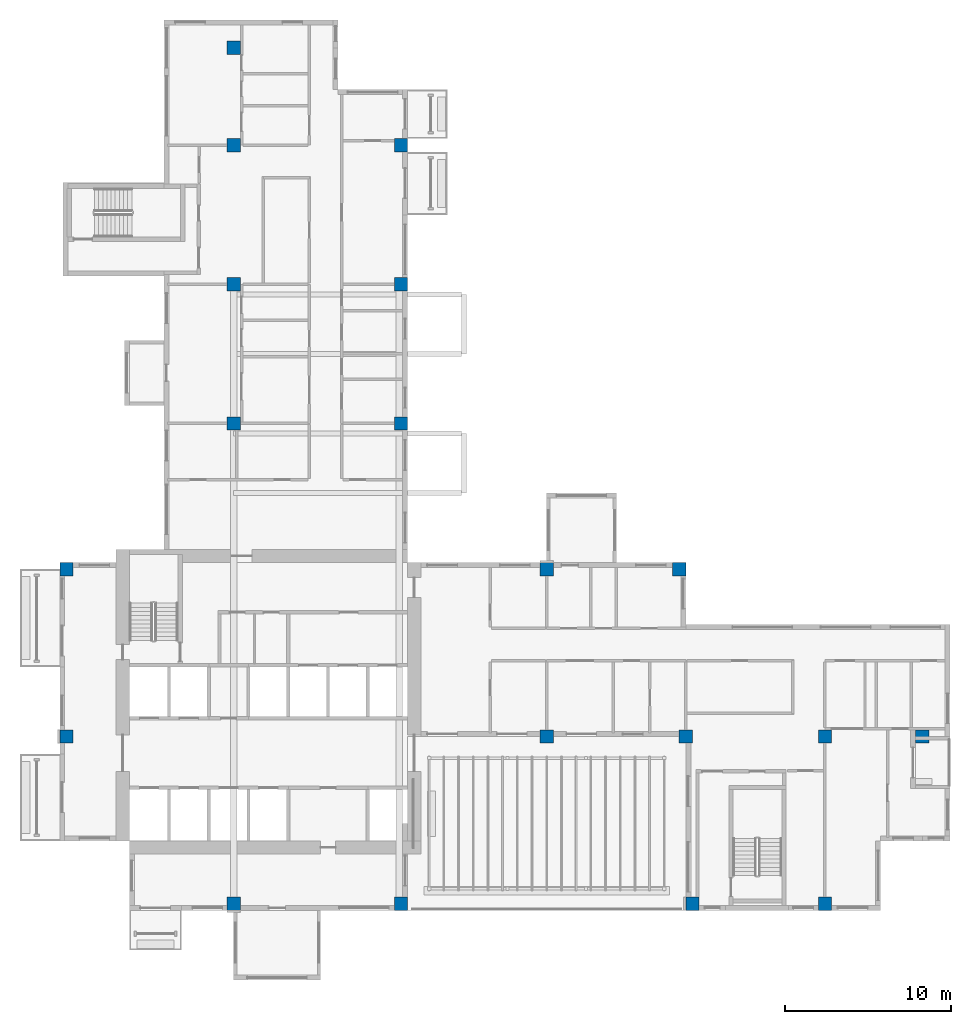
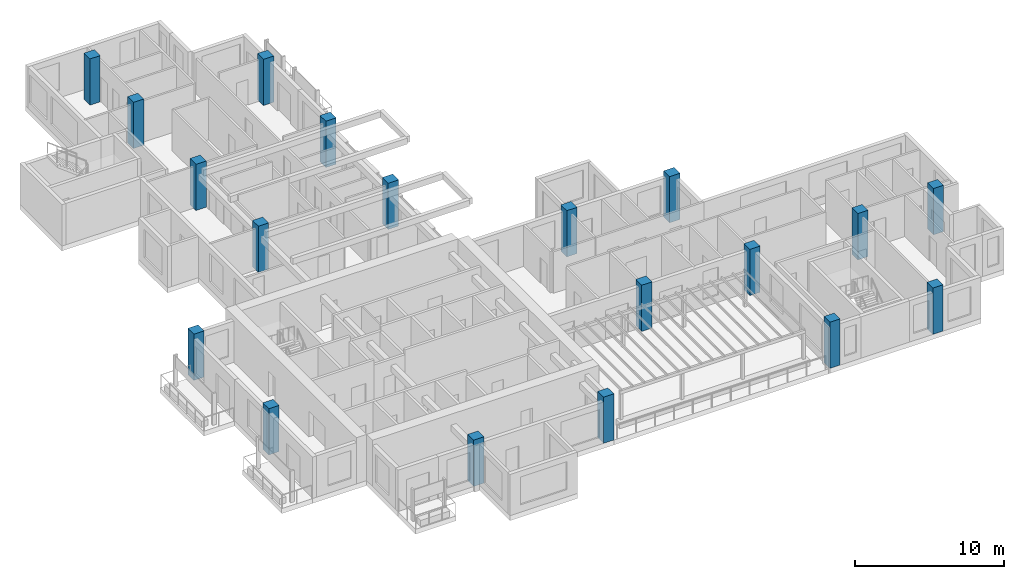
# One storey, part 1 of 13: 19 columns.
"""IFC4 building model written with IfcOpenShell, lengths in metres."""

from ifc_helpers import new_model, si_unit, direction, frame, origin, origin_2d, place, context, subcontext, project, spatial, rectangle, extrude, source, transform, mapped, material, material_profile, profile_set, type_object, element, save


model = new_model("IFC4")

# Units and contexts
model_context = context("Model", 3, precision=1e-05, world=origin(), true_north=direction((0.0, 1.0)))
body_context = subcontext(model_context, "Body", "Model", "MODEL_VIEW")
ifc_project = project(units=[si_unit("LENGTHUNIT", "METRE"), si_unit("AREAUNIT", "SQUARE_METRE"), si_unit("VOLUMEUNIT", "CUBIC_METRE"), si_unit("PLANEANGLEUNIT", "RADIAN"), si_unit("MASSUNIT", "GRAM", prefix="KILO")], contexts=[model_context])

# Site, building, storey
site_placement = place(None, origin())
site = spatial("IfcSite", under=ifc_project, at=site_placement, CompositionType="ELEMENT")
building_placement = place(site_placement, origin())
building = spatial("IfcBuilding", under=site, at=building_placement, Name="Aurelian Terraces", CompositionType="ELEMENT")
storey_placement = place(building_placement, frame((0.0, 0.0, 253.8)))
storey = spatial("IfcBuildingStorey", under=building, at=storey_placement, Name="L58", CompositionType="ELEMENT", Elevation=253.8)

# Columns
ifc_material = material(Name="Concrete fc' 70 MPa", Category="concrete")
ifc_material_profile = material_profile(ifc_material, rectangle(XDim=0.8, YDim=0.8, at=origin_2d()))
ifc_profile_set = profile_set([ifc_material_profile], Name="Concrete fc' 70 MPa")
column_type = type_object("IfcColumnType", Name="RC COLUMN 800X800 FC70", PredefinedType="COLUMN", material=ifc_profile_set)
shared_shape = source(origin(), body_context, "Body", "SweptSolid", [
    extrude(rectangle(XDim=0.8, YDim=0.8, at=origin_2d()), origin(), (0.0, 0.0, 1.0), 3.8),
])
for number, where, z_axis, x_axis, name in (
    (1, (10.5, 0.4, 0.0), (0.0, 0.0, 1.0), (1.0, 0.0, 0.0), "Column 2/A L58"),
    (2, (20.6, 0.4, 0.0), (0.0, 0.0, 1.0), (1.0, 0.0, 0.0), "Column 3/A L58"),
    (3, (38.2, 0.4, 0.0), (0.0, 0.0, 1.0), (1.0, 0.0, 0.0), "Column 5/A L58"),
    (4, (46.2, 0.4, 0.0), (0.0, 0.0, 1.0), (1.0, 0.0, 0.0), "Column 6/A L58"),
    (5, (0.4, 10.5, 0.0), (0.0, 0.0, 1.0), (1.0, 0.0, 0.0), "Column 1/B L58"),
    (6, (29.4, 10.5, 0.0), (0.0, 0.0, 1.0), (1.0, 0.0, 0.0), "Column 4/B L58"),
    (7, (37.8, 10.5, 0.0), (0.0, 0.0, 1.0), (1.0, 0.0, 0.0), "Column 5/B L58"),
    (8, (46.2, 10.5, 0.0), (0.0, 0.0, 1.0), (1.0, 0.0, 0.0), "Column 6/B L58"),
    (9, (52.08, 10.5, 0.0), (0.0, 0.0, 1.0), (1.0, 0.0, 0.0), "Column 7/B L58"),
    (10, (0.4, 20.6, 0.0), (0.0, 0.0, 1.0), (1.0, 0.0, 0.0), "Column 1/C L58"),
    (11, (29.4, 20.6, 0.0), (0.0, 0.0, 1.0), (1.0, 0.0, 0.0), "Column 4/C L58"),
    (12, (37.4, 20.6, 0.0), (0.0, 0.0, 1.0), (1.0, 0.0, 0.0), "Column 5/C L58"),
    (13, (10.5, 29.4, 0.0), (0.0, 0.0, 1.0), (1.0, 0.0, 0.0), "Column 2/D L58"),
    (14, (20.6, 29.4, 0.0), (0.0, 0.0, 1.0), (1.0, 0.0, 0.0), "Column 3/D L58"),
    (15, (10.5, 37.8, 0.0), (0.0, 0.0, 1.0), (1.0, 0.0, 0.0), "Column 2/E L58"),
    (16, (20.6, 37.8, 0.0), (0.0, 0.0, 1.0), (1.0, 0.0, 0.0), "Column 3/E L58"),
    (17, (10.5, 46.2, 0.0), (0.0, 0.0, 1.0), (1.0, 0.0, 0.0), "Column 2/F L58"),
    (18, (20.6, 46.2, 0.0), (0.0, 0.0, 1.0), (1.0, 0.0, 0.0), "Column 3/F L58"),
    (19, (10.5, 52.08, 0.0), (0.0, 0.0, 1.0), (1.0, 0.0, 0.0), "Column 2/G L58"),
):
    element("IfcColumn", number, at=place(storey_placement, frame(where, z_axis=z_axis, x_axis=x_axis)), inside=storey, type_object=column_type, Name=name, PredefinedType="COLUMN", context=body_context, shape_type="MappedRepresentation", body=[
        mapped(shared_shape, transform((0.0, 0.0, 0.0), scale=1.0)),
    ])

save(model, "model.ifc")
